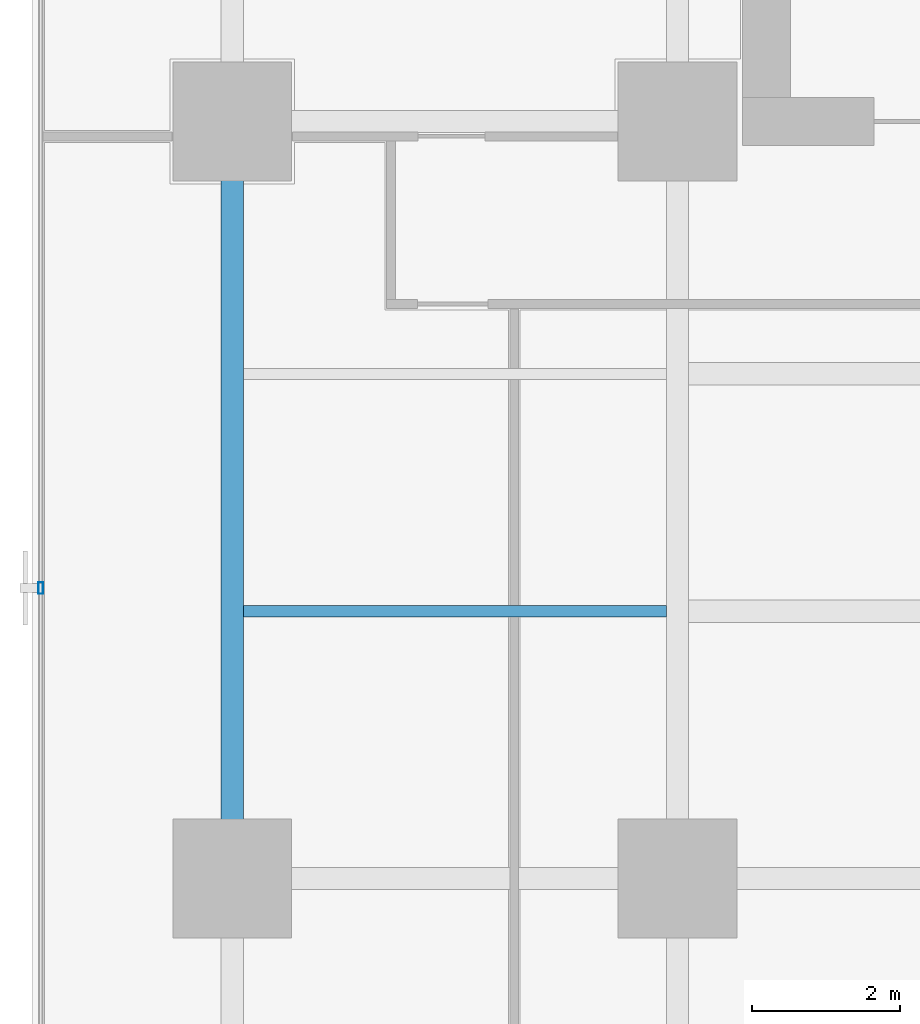
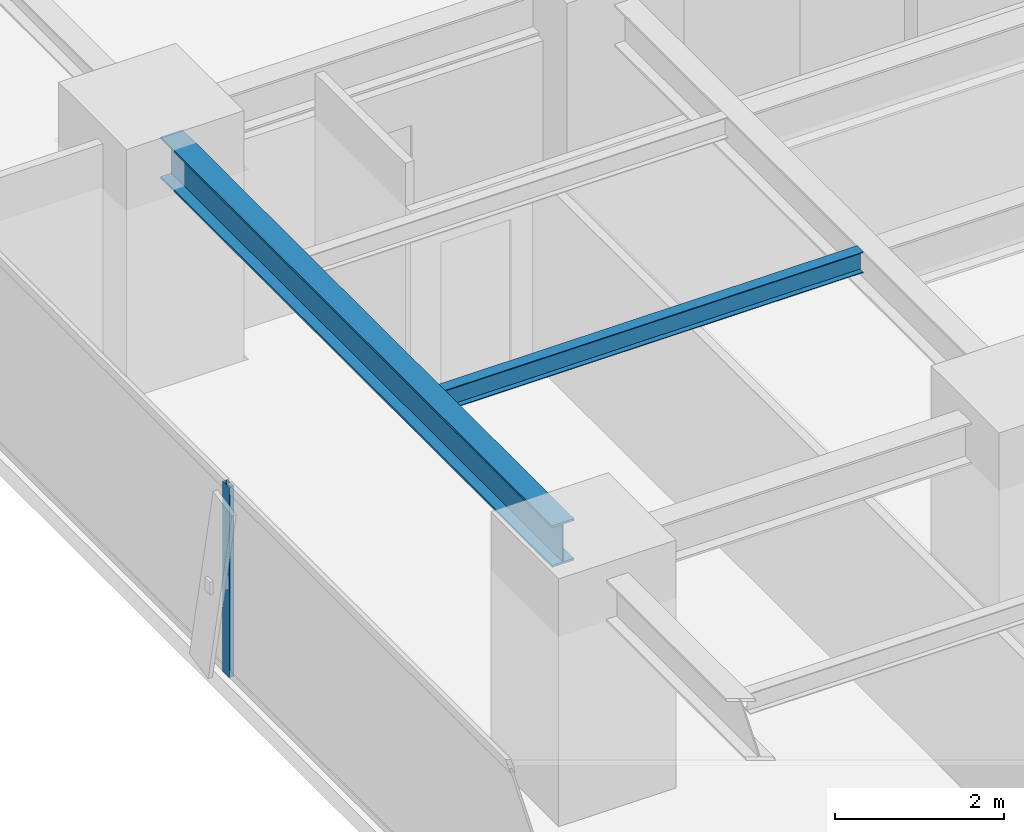
# One storey, part 10 of 37: 2 beams, 1 member, 1 element without a shape of its own.
"""IFC4 building model written with IfcOpenShell, lengths in metres."""

from ifc_helpers import new_model, si_unit, direction, frame, origin, origin_2d, place, context, subcontext, project, spatial, hollow_rectangle, i_section, extrude, source, transform, mapped, material, layer, layer_set, material_profile, profile_set, type_object, element, aggregate, save


model = new_model("IFC4")

# Units and contexts
model_context = context("Model", 3, precision=1e-05, world=origin(), true_north=direction((0.0, 1.0)))
body_context = subcontext(model_context, "Body", "Model", "MODEL_VIEW")
ifc_project = project(units=[si_unit("LENGTHUNIT", "METRE"), si_unit("AREAUNIT", "SQUARE_METRE"), si_unit("VOLUMEUNIT", "CUBIC_METRE"), si_unit("PLANEANGLEUNIT", "RADIAN"), si_unit("MASSUNIT", "GRAM", prefix="KILO")], contexts=[model_context])

# Site, building, storey
site_placement = place(None, origin())
site = spatial("IfcSite", under=ifc_project, at=site_placement, CompositionType="ELEMENT")
building_placement = place(site_placement, origin())
building = spatial("IfcBuilding", under=site, at=building_placement, Name="Sumidabori Civic Tower", CompositionType="ELEMENT")
storey_placement = place(building_placement, frame((0.0, 0.0, 81.199951171875)))
storey = spatial("IfcBuildingStorey", under=building, at=storey_placement, Name="L20", CompositionType="ELEMENT", Elevation=81.199951171875)

# Beams
ifc_material_1 = material(Name="Steel SN490", Category="steel")
ifc_material_profile_1 = material_profile(ifc_material_1, i_section(OverallWidth=0.300048828125, OverallDepth=0.60009765625, WebThickness=0.015380859375, FlangeThickness=0.030029296875, at=origin_2d()), Name="HE 600 B")
ifc_profile_set_1 = profile_set([ifc_material_profile_1], Name="Steel SN490")
beam_type_1 = type_object("IfcBeamType", Name="BM-GIRD-600", PredefinedType="BEAM", material=ifc_profile_set_1)
shared_shape_1 = source(origin(), body_context, "Body", "SweptSolid", [
    extrude(i_section(OverallWidth=0.300048828125, OverallDepth=0.60009765625, WebThickness=0.015380859375, FlangeThickness=0.030029296875, at=origin_2d()), origin(), (0.0, 0.0, 1.0), 9.239990234375),
])
beam_1_placement = place(storey_placement, frame((-22.800048828125, 0.47998046875, 3.06005859375), z_axis=(0.0, 1.0, 0.0), x_axis=(-1.0, 0.0, 0.0)))
element("IfcBeam", 1, at=beam_1_placement, inside=storey, type_object=beam_type_1, Name="Primary Girder L20 GY-23", PredefinedType="BEAM", context=body_context, shape_type="MappedRepresentation", body=[
    mapped(shared_shape_1, transform((0.0, 0.0, 0.0), x_axis=(1.0, 0.0, 0.0), y_axis=(0.0, 1.0, 0.0), z_axis=(0.0, 0.0, 1.0), scale=1.0)),
])
ifc_material_profile_2 = material_profile(ifc_material_1, i_section(OverallWidth=0.14990234375, OverallDepth=0.300048828125, WebThickness=0.007080078125, FlangeThickness=0.0107421875, at=origin_2d()), Name="IPE 300")
ifc_profile_set_2 = profile_set([ifc_material_profile_2], Name="Steel SN490")
beam_type_2 = type_object("IfcBeamType", Name="BM-JST-300", PredefinedType="JOIST", material=ifc_profile_set_2)
shared_shape_2 = source(origin(), body_context, "Body", "SweptSolid", [
    extrude(i_section(OverallWidth=0.14990234375, OverallDepth=0.300048828125, WebThickness=0.007080078125, FlangeThickness=0.0107421875, at=origin_2d()), origin(), (0.0, 0.0, 1.0), 5.699951171875),
])
beam_2_placement = place(storey_placement, frame((-22.64990234375, 3.60009765625, 3.2099609375), z_axis=(1.0, 0.0, 0.0), x_axis=(0.0, 1.0, 0.0)))
element("IfcBeam", 2, at=beam_2_placement, inside=storey, type_object=beam_type_2, Name="Outer Bay Floor Joist L20 JSTO-47", PredefinedType="JOIST", context=body_context, shape_type="MappedRepresentation", body=[
    mapped(shared_shape_2, transform((0.0, 0.0, 0.0), x_axis=(1.0, 0.0, 0.0), y_axis=(0.0, 1.0, 0.0), z_axis=(0.0, 0.0, 1.0), scale=1.0)),
])

# Curtain wall, member
ifc_material_2 = material(Name="Anodised Bronze Aluminium AW-6063-T6", Category="aluminium")
ifc_layer = layer(ifc_material_2, 0.179931640625, Name="Anodised Bronze Aluminium AW-6063-T6")
ifc_layer_set = layer_set([ifc_layer], Name="Anodised Bronze Aluminium AW-6063-T6")
curtain_wall_type = type_object("IfcCurtainWallType", Name="CW-SYS-3", PredefinedType="NOTDEFINED", material=ifc_layer_set)
curtain_wall_placement = place(storey_placement, origin())
curtain_wall = element("IfcCurtainWall", 3, at=curtain_wall_placement, inside=storey, type_object=curtain_wall_type, Name="Curtain Wall CW:L20:R10", PredefinedType="NOTDEFINED")
ifc_material_profile_3 = material_profile(ifc_material_2, hollow_rectangle(XDim=0.06494140625, YDim=0.159912109375, WallThickness=0.0048828125, at=origin_2d()), Name="ALU MULLION 160x65")
ifc_profile_set_3 = profile_set([ifc_material_profile_3], Name="Anodised Bronze Aluminium AW-6063-T6")
member_type = type_object("IfcMemberType", Name="CW-MUL-160", PredefinedType="MULLION", material=ifc_profile_set_3)
shared_shape_3 = source(origin(), body_context, "Body", "SweptSolid", [
    extrude(hollow_rectangle(XDim=0.06494140625, YDim=0.159912109375, WallThickness=0.0048828125, at=origin_2d()), origin(), (0.0, 0.0, 1.0), 2.739990234375),
])
member_placement = place(storey_placement, frame((-25.3798828125, 3.9140625, 0.0), z_axis=(0.0, 0.0, 1.0), x_axis=(1.0, 0.0, 0.0)))
member = element("IfcMember", 4, at=member_placement, type_object=member_type, Name="CW-3 mullion 3", PredefinedType="MULLION", context=body_context, shape_type="MappedRepresentation", body=[
    mapped(shared_shape_3, transform((0.0, 0.0, 0.0), x_axis=(1.0, 0.0, 0.0), y_axis=(0.0, 1.0, 0.0), z_axis=(0.0, 0.0, 1.0), scale=1.0)),
])
aggregate(curtain_wall, [member])

save(model, "model.ifc")
